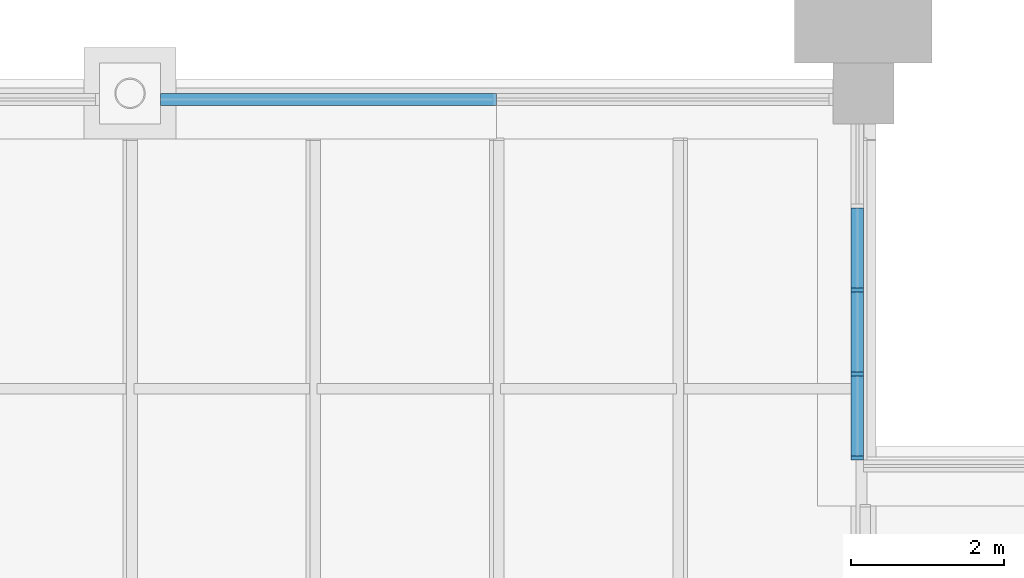
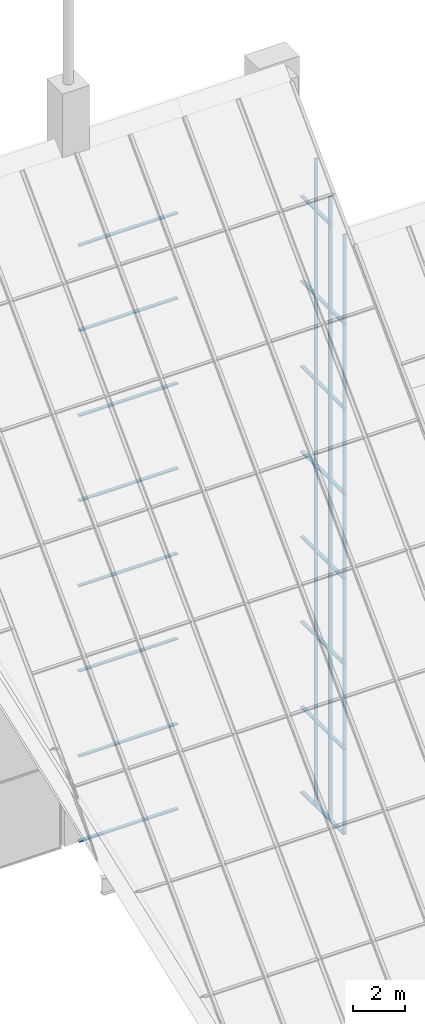
# One storey, part 14 of 25: 54 members, 31 elements without a shape of their own.
"""IFC4 building model written with IfcOpenShell, lengths in metres."""

from ifc_helpers import new_model, si_unit, direction, frame, origin, origin_2d, place, context, subcontext, project, spatial, rectangle, extrude, material, material_profile, profile_set, type_object, element, aggregate, save


model = new_model("IFC4")

# Units and contexts
model_context = context("Model", 3, precision=1e-05, world=origin(), true_north=direction((0.0, 1.0)))
body_context = subcontext(model_context, "Body", "Model", "MODEL_VIEW")
ifc_project = project(units=[si_unit("LENGTHUNIT", "METRE"), si_unit("AREAUNIT", "SQUARE_METRE"), si_unit("VOLUMEUNIT", "CUBIC_METRE"), si_unit("PLANEANGLEUNIT", "RADIAN"), si_unit("MASSUNIT", "GRAM", prefix="KILO")], contexts=[model_context])

# Site, building, storey
site_placement = place(None, origin())
site = spatial("IfcSite", under=ifc_project, at=site_placement, CompositionType="ELEMENT")
building_placement = place(site_placement, origin())
building = spatial("IfcBuilding", under=site, at=building_placement, Name="Baori Bourse Tower", CompositionType="ELEMENT")
storey_placement = place(building_placement, frame((0.0, 0.0, 378.300048828125)))
storey = spatial("IfcBuildingStorey", under=building, at=storey_placement, Name="Roof", CompositionType="ELEMENT", Elevation=378.300048828125)

# Curtain wall, member
ifc_material_1 = material(Name="Pale anodised aluminium", Category="aluminium")
curtain_wall_type = type_object("IfcCurtainWallType", Name="CW3 Curtain wall", PredefinedType="NOTDEFINED", material=ifc_material_1)
curtain_wall_1_placement = place(storey_placement, origin())
curtain_wall_1 = element("IfcCurtainWall", 1, at=curtain_wall_1_placement, inside=storey, type_object=curtain_wall_type, Name="Curtain wall CW3 Roof 34", PredefinedType="NOTDEFINED")
ifc_material_2 = material(Name="Pale anodised aluminium", Category="aluminium")
ifc_material_profile_1 = material_profile(ifc_material_2, rectangle(XDim=0.159912109375, YDim=0.050048828125, at=origin_2d()), Name="Mullion 50x160")
ifc_profile_set_1 = profile_set([ifc_material_profile_1], Name="Pale anodised aluminium")
member_type_1 = type_object("IfcMemberType", Name="CW3 Curtain wall mullion", PredefinedType="MULLION", material=ifc_profile_set_1)
member_1_placement = place(storey_placement, frame((38.320068359375, 43.22509765625, -0.18994140625), z_axis=(0.0, 0.0, 1.0), x_axis=(-1.0, 0.0, 0.0)))
member_1 = element("IfcMember", 2, at=member_1_placement, type_object=member_type_1, Name="Curtain wall CW3 mullion", PredefinedType="MULLION", context=body_context, shape_type="SweptSolid", body=[
    extrude(rectangle(XDim=0.159912109375, YDim=0.050048828125, at=origin_2d()), origin(), (0.0, 0.0, 1.0), 3.93994140625),
])

curtain_wall_2_placement = place(storey_placement, origin())
curtain_wall_2 = element("IfcCurtainWall", 3, at=curtain_wall_2_placement, inside=storey, type_object=curtain_wall_type, Name="Curtain wall CW3 Roof 35", PredefinedType="NOTDEFINED")
member_2_placement = place(storey_placement, frame((38.320068359375, 43.22509765625, 3.81005859375), z_axis=(0.0, 0.0, 1.0), x_axis=(-1.0, 0.0, 0.0)))
member_2 = element("IfcMember", 4, at=member_2_placement, type_object=member_type_1, Name="Curtain wall CW3 mullion", PredefinedType="MULLION", context=body_context, shape_type="SweptSolid", body=[
    extrude(rectangle(XDim=0.159912109375, YDim=0.050048828125, at=origin_2d()), origin(), (0.0, 0.0, 1.0), 3.93994140625),
])

curtain_wall_3_placement = place(storey_placement, origin())
curtain_wall_3 = element("IfcCurtainWall", 5, at=curtain_wall_3_placement, inside=storey, type_object=curtain_wall_type, Name="Curtain wall CW3 Roof 36", PredefinedType="NOTDEFINED")
member_3_placement = place(storey_placement, frame((38.320068359375, 43.22509765625, 7.81005859375), z_axis=(0.0, 0.0, 1.0), x_axis=(-1.0, 0.0, 0.0)))
member_3 = element("IfcMember", 6, at=member_3_placement, type_object=member_type_1, Name="Curtain wall CW3 mullion", PredefinedType="MULLION", context=body_context, shape_type="SweptSolid", body=[
    extrude(rectangle(XDim=0.159912109375, YDim=0.050048828125, at=origin_2d()), origin(), (0.0, 0.0, 1.0), 3.93994140625),
])

curtain_wall_4_placement = place(storey_placement, origin())
curtain_wall_4 = element("IfcCurtainWall", 7, at=curtain_wall_4_placement, inside=storey, type_object=curtain_wall_type, Name="Curtain wall CW3 Roof 37", PredefinedType="NOTDEFINED")
member_4_placement = place(storey_placement, frame((38.320068359375, 43.22509765625, 11.81005859375), z_axis=(0.0, 0.0, 1.0), x_axis=(-1.0, 0.0, 0.0)))
member_4 = element("IfcMember", 8, at=member_4_placement, type_object=member_type_1, Name="Curtain wall CW3 mullion", PredefinedType="MULLION", context=body_context, shape_type="SweptSolid", body=[
    extrude(rectangle(XDim=0.159912109375, YDim=0.050048828125, at=origin_2d()), origin(), (0.0, 0.0, 1.0), 3.93994140625),
])

curtain_wall_5_placement = place(storey_placement, origin())
curtain_wall_5 = element("IfcCurtainWall", 9, at=curtain_wall_5_placement, inside=storey, type_object=curtain_wall_type, Name="Curtain wall CW3 Roof 38", PredefinedType="NOTDEFINED")
member_5_placement = place(storey_placement, frame((38.320068359375, 43.22509765625, 15.81005859375), z_axis=(0.0, 0.0, 1.0), x_axis=(-1.0, 0.0, 0.0)))
member_5 = element("IfcMember", 10, at=member_5_placement, type_object=member_type_1, Name="Curtain wall CW3 mullion", PredefinedType="MULLION", context=body_context, shape_type="SweptSolid", body=[
    extrude(rectangle(XDim=0.159912109375, YDim=0.050048828125, at=origin_2d()), origin(), (0.0, 0.0, 1.0), 3.93994140625),
])

curtain_wall_6_placement = place(storey_placement, origin())
curtain_wall_6 = element("IfcCurtainWall", 11, at=curtain_wall_6_placement, inside=storey, type_object=curtain_wall_type, Name="Curtain wall CW3 Roof 39", PredefinedType="NOTDEFINED")
member_6_placement = place(storey_placement, frame((38.320068359375, 43.22509765625, 19.81005859375), z_axis=(0.0, 0.0, 1.0), x_axis=(-1.0, 0.0, 0.0)))
member_6 = element("IfcMember", 12, at=member_6_placement, type_object=member_type_1, Name="Curtain wall CW3 mullion", PredefinedType="MULLION", context=body_context, shape_type="SweptSolid", body=[
    extrude(rectangle(XDim=0.159912109375, YDim=0.050048828125, at=origin_2d()), origin(), (0.0, 0.0, 1.0), 3.93994140625),
])

curtain_wall_7_placement = place(storey_placement, origin())
curtain_wall_7 = element("IfcCurtainWall", 13, at=curtain_wall_7_placement, inside=storey, type_object=curtain_wall_type, Name="Curtain wall CW3 Roof 40", PredefinedType="NOTDEFINED")
member_7_placement = place(storey_placement, frame((38.320068359375, 43.22509765625, 23.81005859375), z_axis=(0.0, 0.0, 1.0), x_axis=(-1.0, 0.0, 0.0)))
member_7 = element("IfcMember", 14, at=member_7_placement, type_object=member_type_1, Name="Curtain wall CW3 mullion", PredefinedType="MULLION", context=body_context, shape_type="SweptSolid", body=[
    extrude(rectangle(XDim=0.159912109375, YDim=0.050048828125, at=origin_2d()), origin(), (0.0, 0.0, 1.0), 4.159912109375),
])

curtain_wall_8_placement = place(storey_placement, origin())
curtain_wall_8 = element("IfcCurtainWall", 15, at=curtain_wall_8_placement, inside=storey, type_object=curtain_wall_type, Name="Curtain wall CW3 Roof 41", PredefinedType="NOTDEFINED")
member_8_placement = place(storey_placement, frame((38.320068359375, 44.324951171875, -0.18994140625), z_axis=(0.0, 0.0, 1.0), x_axis=(-1.0, 0.0, 0.0)))
member_8 = element("IfcMember", 16, at=member_8_placement, type_object=member_type_1, Name="Curtain wall CW3 mullion", PredefinedType="MULLION", context=body_context, shape_type="SweptSolid", body=[
    extrude(rectangle(XDim=0.159912109375, YDim=0.050048828125, at=origin_2d()), origin(), (0.0, 0.0, 1.0), 3.93994140625),
])

curtain_wall_9_placement = place(storey_placement, origin())
curtain_wall_9 = element("IfcCurtainWall", 17, at=curtain_wall_9_placement, inside=storey, type_object=curtain_wall_type, Name="Curtain wall CW3 Roof 42", PredefinedType="NOTDEFINED")
member_9_placement = place(storey_placement, frame((38.320068359375, 44.324951171875, 3.81005859375), z_axis=(0.0, 0.0, 1.0), x_axis=(-1.0, 0.0, 0.0)))
member_9 = element("IfcMember", 18, at=member_9_placement, type_object=member_type_1, Name="Curtain wall CW3 mullion", PredefinedType="MULLION", context=body_context, shape_type="SweptSolid", body=[
    extrude(rectangle(XDim=0.159912109375, YDim=0.050048828125, at=origin_2d()), origin(), (0.0, 0.0, 1.0), 3.93994140625),
])

curtain_wall_10_placement = place(storey_placement, origin())
curtain_wall_10 = element("IfcCurtainWall", 19, at=curtain_wall_10_placement, inside=storey, type_object=curtain_wall_type, Name="Curtain wall CW3 Roof 43", PredefinedType="NOTDEFINED")
member_10_placement = place(storey_placement, frame((38.320068359375, 44.324951171875, 7.81005859375), z_axis=(0.0, 0.0, 1.0), x_axis=(-1.0, 0.0, 0.0)))
member_10 = element("IfcMember", 20, at=member_10_placement, type_object=member_type_1, Name="Curtain wall CW3 mullion", PredefinedType="MULLION", context=body_context, shape_type="SweptSolid", body=[
    extrude(rectangle(XDim=0.159912109375, YDim=0.050048828125, at=origin_2d()), origin(), (0.0, 0.0, 1.0), 3.93994140625),
])

curtain_wall_11_placement = place(storey_placement, origin())
curtain_wall_11 = element("IfcCurtainWall", 21, at=curtain_wall_11_placement, inside=storey, type_object=curtain_wall_type, Name="Curtain wall CW3 Roof 44", PredefinedType="NOTDEFINED")
member_11_placement = place(storey_placement, frame((38.320068359375, 44.324951171875, 11.81005859375), z_axis=(0.0, 0.0, 1.0), x_axis=(-1.0, 0.0, 0.0)))
member_11 = element("IfcMember", 22, at=member_11_placement, type_object=member_type_1, Name="Curtain wall CW3 mullion", PredefinedType="MULLION", context=body_context, shape_type="SweptSolid", body=[
    extrude(rectangle(XDim=0.159912109375, YDim=0.050048828125, at=origin_2d()), origin(), (0.0, 0.0, 1.0), 3.93994140625),
])

curtain_wall_12_placement = place(storey_placement, origin())
curtain_wall_12 = element("IfcCurtainWall", 23, at=curtain_wall_12_placement, inside=storey, type_object=curtain_wall_type, Name="Curtain wall CW3 Roof 45", PredefinedType="NOTDEFINED")
member_12_placement = place(storey_placement, frame((38.320068359375, 44.324951171875, 15.81005859375), z_axis=(0.0, 0.0, 1.0), x_axis=(-1.0, 0.0, 0.0)))
member_12 = element("IfcMember", 24, at=member_12_placement, type_object=member_type_1, Name="Curtain wall CW3 mullion", PredefinedType="MULLION", context=body_context, shape_type="SweptSolid", body=[
    extrude(rectangle(XDim=0.159912109375, YDim=0.050048828125, at=origin_2d()), origin(), (0.0, 0.0, 1.0), 3.93994140625),
])

curtain_wall_13_placement = place(storey_placement, origin())
curtain_wall_13 = element("IfcCurtainWall", 25, at=curtain_wall_13_placement, inside=storey, type_object=curtain_wall_type, Name="Curtain wall CW3 Roof 46", PredefinedType="NOTDEFINED")
member_13_placement = place(storey_placement, frame((38.320068359375, 44.324951171875, 19.81005859375), z_axis=(0.0, 0.0, 1.0), x_axis=(-1.0, 0.0, 0.0)))
member_13 = element("IfcMember", 26, at=member_13_placement, type_object=member_type_1, Name="Curtain wall CW3 mullion", PredefinedType="MULLION", context=body_context, shape_type="SweptSolid", body=[
    extrude(rectangle(XDim=0.159912109375, YDim=0.050048828125, at=origin_2d()), origin(), (0.0, 0.0, 1.0), 3.93994140625),
])

curtain_wall_14_placement = place(storey_placement, origin())
curtain_wall_14 = element("IfcCurtainWall", 27, at=curtain_wall_14_placement, inside=storey, type_object=curtain_wall_type, Name="Curtain wall CW3 Roof 47", PredefinedType="NOTDEFINED")
member_14_placement = place(storey_placement, frame((38.320068359375, 44.324951171875, 23.81005859375), z_axis=(0.0, 0.0, 1.0), x_axis=(-1.0, 0.0, 0.0)))
member_14 = element("IfcMember", 28, at=member_14_placement, type_object=member_type_1, Name="Curtain wall CW3 mullion", PredefinedType="MULLION", context=body_context, shape_type="SweptSolid", body=[
    extrude(rectangle(XDim=0.159912109375, YDim=0.050048828125, at=origin_2d()), origin(), (0.0, 0.0, 1.0), 3.93994140625),
])

curtain_wall_15_placement = place(storey_placement, origin())
curtain_wall_15 = element("IfcCurtainWall", 29, at=curtain_wall_15_placement, inside=storey, type_object=curtain_wall_type, Name="Curtain wall CW3 Roof 48", PredefinedType="NOTDEFINED")
member_15_placement = place(storey_placement, frame((38.320068359375, 44.324951171875, 27.81005859375), z_axis=(0.0, 0.0, 1.0), x_axis=(-1.0, 0.0, 0.0)))
member_15 = element("IfcMember", 30, at=member_15_placement, type_object=member_type_1, Name="Curtain wall CW3 mullion", PredefinedType="MULLION", context=body_context, shape_type="SweptSolid", body=[
    extrude(rectangle(XDim=0.159912109375, YDim=0.050048828125, at=origin_2d()), origin(), (0.0, 0.0, 1.0), 1.273681640625),
])

curtain_wall_16_placement = place(storey_placement, origin())
curtain_wall_16 = element("IfcCurtainWall", 31, at=curtain_wall_16_placement, inside=storey, type_object=curtain_wall_type, Name="Curtain wall CW3 Roof 49", PredefinedType="NOTDEFINED")
member_16_placement = place(storey_placement, frame((38.320068359375, 45.425048828125, -0.18994140625), z_axis=(0.0, 0.0, 1.0), x_axis=(-1.0, 0.0, 0.0)))
member_16 = element("IfcMember", 32, at=member_16_placement, type_object=member_type_1, Name="Curtain wall CW3 mullion", PredefinedType="MULLION", context=body_context, shape_type="SweptSolid", body=[
    extrude(rectangle(XDim=0.159912109375, YDim=0.050048828125, at=origin_2d()), origin(), (0.0, 0.0, 1.0), 3.93994140625),
])

curtain_wall_17_placement = place(storey_placement, origin())
curtain_wall_17 = element("IfcCurtainWall", 33, at=curtain_wall_17_placement, inside=storey, type_object=curtain_wall_type, Name="Curtain wall CW3 Roof 50", PredefinedType="NOTDEFINED")
member_17_placement = place(storey_placement, frame((38.320068359375, 45.425048828125, 3.81005859375), z_axis=(0.0, 0.0, 1.0), x_axis=(-1.0, 0.0, 0.0)))
member_17 = element("IfcMember", 34, at=member_17_placement, type_object=member_type_1, Name="Curtain wall CW3 mullion", PredefinedType="MULLION", context=body_context, shape_type="SweptSolid", body=[
    extrude(rectangle(XDim=0.159912109375, YDim=0.050048828125, at=origin_2d()), origin(), (0.0, 0.0, 1.0), 3.93994140625),
])

curtain_wall_18_placement = place(storey_placement, origin())
curtain_wall_18 = element("IfcCurtainWall", 35, at=curtain_wall_18_placement, inside=storey, type_object=curtain_wall_type, Name="Curtain wall CW3 Roof 51", PredefinedType="NOTDEFINED")
member_18_placement = place(storey_placement, frame((38.320068359375, 45.425048828125, 7.81005859375), z_axis=(0.0, 0.0, 1.0), x_axis=(-1.0, 0.0, 0.0)))
member_18 = element("IfcMember", 36, at=member_18_placement, type_object=member_type_1, Name="Curtain wall CW3 mullion", PredefinedType="MULLION", context=body_context, shape_type="SweptSolid", body=[
    extrude(rectangle(XDim=0.159912109375, YDim=0.050048828125, at=origin_2d()), origin(), (0.0, 0.0, 1.0), 3.93994140625),
])

curtain_wall_19_placement = place(storey_placement, origin())
curtain_wall_19 = element("IfcCurtainWall", 37, at=curtain_wall_19_placement, inside=storey, type_object=curtain_wall_type, Name="Curtain wall CW3 Roof 52", PredefinedType="NOTDEFINED")
member_19_placement = place(storey_placement, frame((38.320068359375, 45.425048828125, 11.81005859375), z_axis=(0.0, 0.0, 1.0), x_axis=(-1.0, 0.0, 0.0)))
member_19 = element("IfcMember", 38, at=member_19_placement, type_object=member_type_1, Name="Curtain wall CW3 mullion", PredefinedType="MULLION", context=body_context, shape_type="SweptSolid", body=[
    extrude(rectangle(XDim=0.159912109375, YDim=0.050048828125, at=origin_2d()), origin(), (0.0, 0.0, 1.0), 3.93994140625),
])

curtain_wall_20_placement = place(storey_placement, origin())
curtain_wall_20 = element("IfcCurtainWall", 39, at=curtain_wall_20_placement, inside=storey, type_object=curtain_wall_type, Name="Curtain wall CW3 Roof 53", PredefinedType="NOTDEFINED")
member_20_placement = place(storey_placement, frame((38.320068359375, 45.425048828125, 15.81005859375), z_axis=(0.0, 0.0, 1.0), x_axis=(-1.0, 0.0, 0.0)))
member_20 = element("IfcMember", 40, at=member_20_placement, type_object=member_type_1, Name="Curtain wall CW3 mullion", PredefinedType="MULLION", context=body_context, shape_type="SweptSolid", body=[
    extrude(rectangle(XDim=0.159912109375, YDim=0.050048828125, at=origin_2d()), origin(), (0.0, 0.0, 1.0), 3.93994140625),
])

curtain_wall_21_placement = place(storey_placement, origin())
curtain_wall_21 = element("IfcCurtainWall", 41, at=curtain_wall_21_placement, inside=storey, type_object=curtain_wall_type, Name="Curtain wall CW3 Roof 54", PredefinedType="NOTDEFINED")
member_21_placement = place(storey_placement, frame((38.320068359375, 45.425048828125, 19.81005859375), z_axis=(0.0, 0.0, 1.0), x_axis=(-1.0, 0.0, 0.0)))
member_21 = element("IfcMember", 42, at=member_21_placement, type_object=member_type_1, Name="Curtain wall CW3 mullion", PredefinedType="MULLION", context=body_context, shape_type="SweptSolid", body=[
    extrude(rectangle(XDim=0.159912109375, YDim=0.050048828125, at=origin_2d()), origin(), (0.0, 0.0, 1.0), 3.93994140625),
])

curtain_wall_22_placement = place(storey_placement, origin())
curtain_wall_22 = element("IfcCurtainWall", 43, at=curtain_wall_22_placement, inside=storey, type_object=curtain_wall_type, Name="Curtain wall CW3 Roof 55", PredefinedType="NOTDEFINED")
member_22_placement = place(storey_placement, frame((38.320068359375, 45.425048828125, 23.81005859375), z_axis=(0.0, 0.0, 1.0), x_axis=(-1.0, 0.0, 0.0)))
member_22 = element("IfcMember", 44, at=member_22_placement, type_object=member_type_1, Name="Curtain wall CW3 mullion", PredefinedType="MULLION", context=body_context, shape_type="SweptSolid", body=[
    extrude(rectangle(XDim=0.159912109375, YDim=0.050048828125, at=origin_2d()), origin(), (0.0, 0.0, 1.0), 3.93994140625),
])

curtain_wall_23_placement = place(storey_placement, origin())
curtain_wall_23 = element("IfcCurtainWall", 45, at=curtain_wall_23_placement, inside=storey, type_object=curtain_wall_type, Name="Curtain wall CW3 Roof 56", PredefinedType="NOTDEFINED")
member_23_placement = place(storey_placement, frame((38.320068359375, 45.425048828125, 27.81005859375), z_axis=(0.0, 0.0, 1.0), x_axis=(-1.0, 0.0, 0.0)))
member_23 = element("IfcMember", 46, at=member_23_placement, type_object=member_type_1, Name="Curtain wall CW3 mullion", PredefinedType="MULLION", context=body_context, shape_type="SweptSolid", body=[
    extrude(rectangle(XDim=0.159912109375, YDim=0.050048828125, at=origin_2d()), origin(), (0.0, 0.0, 1.0), 2.387451171875),
])

# Member
ifc_material_3 = material(Name="Pale anodised aluminium", Category="aluminium")
ifc_material_profile_2 = material_profile(ifc_material_3, rectangle(XDim=0.159912109375, YDim=0.06005859375, at=origin_2d()), Name="Transom 60x160")
ifc_profile_set_2 = profile_set([ifc_material_profile_2], Name="Pale anodised aluminium")
member_type_2 = type_object("IfcMemberType", Name="CW3 Curtain wall transom", PredefinedType="USERDEFINED", material=ifc_profile_set_2)
member_24_placement = place(storey_placement, frame((38.320068359375, 43.199951171875, -0.219970703125), z_axis=(0.0, 1.0, 0.0), x_axis=(-1.0, 0.0, 0.0)))
member_24 = element("IfcMember", 47, at=member_24_placement, type_object=member_type_2, Name="Curtain wall CW3 sill rail", ObjectType="TRANSOM", PredefinedType="USERDEFINED", context=body_context, shape_type="SweptSolid", body=[
    extrude(rectangle(XDim=0.159912109375, YDim=0.06005859375, at=origin_2d()), origin(), (0.0, 0.0, 1.0), 1.10009765625),
])

aggregate(curtain_wall_1, [member_24, member_1])

member_25_placement = place(storey_placement, frame((38.320068359375, 43.199951171875, 3.780029296875), z_axis=(0.0, 1.0, 0.0), x_axis=(-1.0, 0.0, 0.0)))
member_25 = element("IfcMember", 48, at=member_25_placement, type_object=member_type_2, Name="Curtain wall CW3 sill rail", ObjectType="TRANSOM", PredefinedType="USERDEFINED", context=body_context, shape_type="SweptSolid", body=[
    extrude(rectangle(XDim=0.159912109375, YDim=0.06005859375, at=origin_2d()), origin(), (0.0, 0.0, 1.0), 1.10009765625),
])

aggregate(curtain_wall_2, [member_25, member_2])

member_26_placement = place(storey_placement, frame((38.320068359375, 43.199951171875, 7.780029296875), z_axis=(0.0, 1.0, 0.0), x_axis=(-1.0, 0.0, 0.0)))
member_26 = element("IfcMember", 49, at=member_26_placement, type_object=member_type_2, Name="Curtain wall CW3 sill rail", ObjectType="TRANSOM", PredefinedType="USERDEFINED", context=body_context, shape_type="SweptSolid", body=[
    extrude(rectangle(XDim=0.159912109375, YDim=0.06005859375, at=origin_2d()), origin(), (0.0, 0.0, 1.0), 1.10009765625),
])

aggregate(curtain_wall_3, [member_26, member_3])

member_27_placement = place(storey_placement, frame((38.320068359375, 43.199951171875, 11.780029296875), z_axis=(0.0, 1.0, 0.0), x_axis=(-1.0, 0.0, 0.0)))
member_27 = element("IfcMember", 50, at=member_27_placement, type_object=member_type_2, Name="Curtain wall CW3 sill rail", ObjectType="TRANSOM", PredefinedType="USERDEFINED", context=body_context, shape_type="SweptSolid", body=[
    extrude(rectangle(XDim=0.159912109375, YDim=0.06005859375, at=origin_2d()), origin(), (0.0, 0.0, 1.0), 1.10009765625),
])

aggregate(curtain_wall_4, [member_27, member_4])

member_28_placement = place(storey_placement, frame((38.320068359375, 43.199951171875, 15.780029296875), z_axis=(0.0, 1.0, 0.0), x_axis=(-1.0, 0.0, 0.0)))
member_28 = element("IfcMember", 51, at=member_28_placement, type_object=member_type_2, Name="Curtain wall CW3 sill rail", ObjectType="TRANSOM", PredefinedType="USERDEFINED", context=body_context, shape_type="SweptSolid", body=[
    extrude(rectangle(XDim=0.159912109375, YDim=0.06005859375, at=origin_2d()), origin(), (0.0, 0.0, 1.0), 1.10009765625),
])

aggregate(curtain_wall_5, [member_28, member_5])

member_29_placement = place(storey_placement, frame((38.320068359375, 43.199951171875, 19.780029296875), z_axis=(0.0, 1.0, 0.0), x_axis=(-1.0, 0.0, 0.0)))
member_29 = element("IfcMember", 52, at=member_29_placement, type_object=member_type_2, Name="Curtain wall CW3 sill rail", ObjectType="TRANSOM", PredefinedType="USERDEFINED", context=body_context, shape_type="SweptSolid", body=[
    extrude(rectangle(XDim=0.159912109375, YDim=0.06005859375, at=origin_2d()), origin(), (0.0, 0.0, 1.0), 1.10009765625),
])

aggregate(curtain_wall_6, [member_29, member_6])

member_30_placement = place(storey_placement, frame((38.320068359375, 43.199951171875, 23.780029296875), z_axis=(0.0, 1.0, 0.0), x_axis=(-1.0, 0.0, 0.0)))
member_30 = element("IfcMember", 53, at=member_30_placement, type_object=member_type_2, Name="Curtain wall CW3 sill rail", ObjectType="TRANSOM", PredefinedType="USERDEFINED", context=body_context, shape_type="SweptSolid", body=[
    extrude(rectangle(XDim=0.159912109375, YDim=0.06005859375, at=origin_2d()), origin(), (0.0, 0.0, 1.0), 1.10009765625),
])

aggregate(curtain_wall_7, [member_30, member_7])

member_31_placement = place(storey_placement, frame((38.320068359375, 44.300048828125, -0.219970703125), z_axis=(0.0, 1.0, 0.0), x_axis=(-1.0, 0.0, 0.0)))
member_31 = element("IfcMember", 54, at=member_31_placement, type_object=member_type_2, Name="Curtain wall CW3 sill rail", ObjectType="TRANSOM", PredefinedType="USERDEFINED", context=body_context, shape_type="SweptSolid", body=[
    extrude(rectangle(XDim=0.159912109375, YDim=0.06005859375, at=origin_2d()), origin(), (0.0, 0.0, 1.0), 1.099853515625),
])

aggregate(curtain_wall_8, [member_31, member_8])

member_32_placement = place(storey_placement, frame((38.320068359375, 44.300048828125, 3.780029296875), z_axis=(0.0, 1.0, 0.0), x_axis=(-1.0, 0.0, 0.0)))
member_32 = element("IfcMember", 55, at=member_32_placement, type_object=member_type_2, Name="Curtain wall CW3 sill rail", ObjectType="TRANSOM", PredefinedType="USERDEFINED", context=body_context, shape_type="SweptSolid", body=[
    extrude(rectangle(XDim=0.159912109375, YDim=0.06005859375, at=origin_2d()), origin(), (0.0, 0.0, 1.0), 1.099853515625),
])

aggregate(curtain_wall_9, [member_32, member_9])

member_33_placement = place(storey_placement, frame((38.320068359375, 44.300048828125, 7.780029296875), z_axis=(0.0, 1.0, 0.0), x_axis=(-1.0, 0.0, 0.0)))
member_33 = element("IfcMember", 56, at=member_33_placement, type_object=member_type_2, Name="Curtain wall CW3 sill rail", ObjectType="TRANSOM", PredefinedType="USERDEFINED", context=body_context, shape_type="SweptSolid", body=[
    extrude(rectangle(XDim=0.159912109375, YDim=0.06005859375, at=origin_2d()), origin(), (0.0, 0.0, 1.0), 1.099853515625),
])

aggregate(curtain_wall_10, [member_33, member_10])

member_34_placement = place(storey_placement, frame((38.320068359375, 44.300048828125, 11.780029296875), z_axis=(0.0, 1.0, 0.0), x_axis=(-1.0, 0.0, 0.0)))
member_34 = element("IfcMember", 57, at=member_34_placement, type_object=member_type_2, Name="Curtain wall CW3 sill rail", ObjectType="TRANSOM", PredefinedType="USERDEFINED", context=body_context, shape_type="SweptSolid", body=[
    extrude(rectangle(XDim=0.159912109375, YDim=0.06005859375, at=origin_2d()), origin(), (0.0, 0.0, 1.0), 1.099853515625),
])

aggregate(curtain_wall_11, [member_34, member_11])

member_35_placement = place(storey_placement, frame((38.320068359375, 44.300048828125, 15.780029296875), z_axis=(0.0, 1.0, 0.0), x_axis=(-1.0, 0.0, 0.0)))
member_35 = element("IfcMember", 58, at=member_35_placement, type_object=member_type_2, Name="Curtain wall CW3 sill rail", ObjectType="TRANSOM", PredefinedType="USERDEFINED", context=body_context, shape_type="SweptSolid", body=[
    extrude(rectangle(XDim=0.159912109375, YDim=0.06005859375, at=origin_2d()), origin(), (0.0, 0.0, 1.0), 1.099853515625),
])

aggregate(curtain_wall_12, [member_35, member_12])

member_36_placement = place(storey_placement, frame((38.320068359375, 44.300048828125, 19.780029296875), z_axis=(0.0, 1.0, 0.0), x_axis=(-1.0, 0.0, 0.0)))
member_36 = element("IfcMember", 59, at=member_36_placement, type_object=member_type_2, Name="Curtain wall CW3 sill rail", ObjectType="TRANSOM", PredefinedType="USERDEFINED", context=body_context, shape_type="SweptSolid", body=[
    extrude(rectangle(XDim=0.159912109375, YDim=0.06005859375, at=origin_2d()), origin(), (0.0, 0.0, 1.0), 1.099853515625),
])

aggregate(curtain_wall_13, [member_36, member_13])

member_37_placement = place(storey_placement, frame((38.320068359375, 44.300048828125, 23.780029296875), z_axis=(0.0, 1.0, 0.0), x_axis=(-1.0, 0.0, 0.0)))
member_37 = element("IfcMember", 60, at=member_37_placement, type_object=member_type_2, Name="Curtain wall CW3 sill rail", ObjectType="TRANSOM", PredefinedType="USERDEFINED", context=body_context, shape_type="SweptSolid", body=[
    extrude(rectangle(XDim=0.159912109375, YDim=0.06005859375, at=origin_2d()), origin(), (0.0, 0.0, 1.0), 1.099853515625),
])

aggregate(curtain_wall_14, [member_37, member_14])

member_38_placement = place(storey_placement, frame((38.320068359375, 44.300048828125, 27.780029296875), z_axis=(0.0, 1.0, 0.0), x_axis=(-1.0, 0.0, 0.0)))
member_38 = element("IfcMember", 61, at=member_38_placement, type_object=member_type_2, Name="Curtain wall CW3 sill rail", ObjectType="TRANSOM", PredefinedType="USERDEFINED", context=body_context, shape_type="SweptSolid", body=[
    extrude(rectangle(XDim=0.159912109375, YDim=0.06005859375, at=origin_2d()), origin(), (0.0, 0.0, 1.0), 1.099853515625),
])

aggregate(curtain_wall_15, [member_38, member_15])

member_39_placement = place(storey_placement, frame((38.320068359375, 45.39990234375, -0.219970703125), z_axis=(0.0, 1.0, 0.0), x_axis=(-1.0, 0.0, 0.0)))
member_39 = element("IfcMember", 62, at=member_39_placement, type_object=member_type_2, Name="Curtain wall CW3 sill rail", ObjectType="TRANSOM", PredefinedType="USERDEFINED", context=body_context, shape_type="SweptSolid", body=[
    extrude(rectangle(XDim=0.159912109375, YDim=0.06005859375, at=origin_2d()), origin(), (0.0, 0.0, 1.0), 1.10009765625),
])

aggregate(curtain_wall_16, [member_39, member_16])

member_40_placement = place(storey_placement, frame((38.320068359375, 45.39990234375, 3.780029296875), z_axis=(0.0, 1.0, 0.0), x_axis=(-1.0, 0.0, 0.0)))
member_40 = element("IfcMember", 63, at=member_40_placement, type_object=member_type_2, Name="Curtain wall CW3 sill rail", ObjectType="TRANSOM", PredefinedType="USERDEFINED", context=body_context, shape_type="SweptSolid", body=[
    extrude(rectangle(XDim=0.159912109375, YDim=0.06005859375, at=origin_2d()), origin(), (0.0, 0.0, 1.0), 1.10009765625),
])

aggregate(curtain_wall_17, [member_40, member_17])

member_41_placement = place(storey_placement, frame((38.320068359375, 45.39990234375, 7.780029296875), z_axis=(0.0, 1.0, 0.0), x_axis=(-1.0, 0.0, 0.0)))
member_41 = element("IfcMember", 64, at=member_41_placement, type_object=member_type_2, Name="Curtain wall CW3 sill rail", ObjectType="TRANSOM", PredefinedType="USERDEFINED", context=body_context, shape_type="SweptSolid", body=[
    extrude(rectangle(XDim=0.159912109375, YDim=0.06005859375, at=origin_2d()), origin(), (0.0, 0.0, 1.0), 1.10009765625),
])

aggregate(curtain_wall_18, [member_41, member_18])

member_42_placement = place(storey_placement, frame((38.320068359375, 45.39990234375, 11.780029296875), z_axis=(0.0, 1.0, 0.0), x_axis=(-1.0, 0.0, 0.0)))
member_42 = element("IfcMember", 65, at=member_42_placement, type_object=member_type_2, Name="Curtain wall CW3 sill rail", ObjectType="TRANSOM", PredefinedType="USERDEFINED", context=body_context, shape_type="SweptSolid", body=[
    extrude(rectangle(XDim=0.159912109375, YDim=0.06005859375, at=origin_2d()), origin(), (0.0, 0.0, 1.0), 1.10009765625),
])

aggregate(curtain_wall_19, [member_42, member_19])

member_43_placement = place(storey_placement, frame((38.320068359375, 45.39990234375, 15.780029296875), z_axis=(0.0, 1.0, 0.0), x_axis=(-1.0, 0.0, 0.0)))
member_43 = element("IfcMember", 66, at=member_43_placement, type_object=member_type_2, Name="Curtain wall CW3 sill rail", ObjectType="TRANSOM", PredefinedType="USERDEFINED", context=body_context, shape_type="SweptSolid", body=[
    extrude(rectangle(XDim=0.159912109375, YDim=0.06005859375, at=origin_2d()), origin(), (0.0, 0.0, 1.0), 1.10009765625),
])

aggregate(curtain_wall_20, [member_43, member_20])

member_44_placement = place(storey_placement, frame((38.320068359375, 45.39990234375, 19.780029296875), z_axis=(0.0, 1.0, 0.0), x_axis=(-1.0, 0.0, 0.0)))
member_44 = element("IfcMember", 67, at=member_44_placement, type_object=member_type_2, Name="Curtain wall CW3 sill rail", ObjectType="TRANSOM", PredefinedType="USERDEFINED", context=body_context, shape_type="SweptSolid", body=[
    extrude(rectangle(XDim=0.159912109375, YDim=0.06005859375, at=origin_2d()), origin(), (0.0, 0.0, 1.0), 1.10009765625),
])

aggregate(curtain_wall_21, [member_44, member_21])

member_45_placement = place(storey_placement, frame((38.320068359375, 45.39990234375, 23.780029296875), z_axis=(0.0, 1.0, 0.0), x_axis=(-1.0, 0.0, 0.0)))
member_45 = element("IfcMember", 68, at=member_45_placement, type_object=member_type_2, Name="Curtain wall CW3 sill rail", ObjectType="TRANSOM", PredefinedType="USERDEFINED", context=body_context, shape_type="SweptSolid", body=[
    extrude(rectangle(XDim=0.159912109375, YDim=0.06005859375, at=origin_2d()), origin(), (0.0, 0.0, 1.0), 1.10009765625),
])

aggregate(curtain_wall_22, [member_45, member_22])

member_46_placement = place(storey_placement, frame((38.320068359375, 45.39990234375, 27.780029296875), z_axis=(0.0, 1.0, 0.0), x_axis=(-1.0, 0.0, 0.0)))
member_46 = element("IfcMember", 69, at=member_46_placement, type_object=member_type_2, Name="Curtain wall CW3 sill rail", ObjectType="TRANSOM", PredefinedType="USERDEFINED", context=body_context, shape_type="SweptSolid", body=[
    extrude(rectangle(XDim=0.159912109375, YDim=0.06005859375, at=origin_2d()), origin(), (0.0, 0.0, 1.0), 1.10009765625),
])

aggregate(curtain_wall_23, [member_46, member_23])

# Curtain wall, member
curtain_wall_24_placement = place(storey_placement, origin())
curtain_wall_24 = element("IfcCurtainWall", 70, at=curtain_wall_24_placement, inside=storey, type_object=curtain_wall_type, Name="Curtain wall CW3 Roof 74", PredefinedType="NOTDEFINED")
member_47_placement = place(storey_placement, frame((33.60009765625, 47.919921875, -0.219970703125), z_axis=(-1.0, 0.0, 0.0), x_axis=(0.0, -1.0, 0.0)))
member_47 = element("IfcMember", 71, at=member_47_placement, type_object=member_type_2, Name="Curtain wall CW3 sill rail", ObjectType="TRANSOM", PredefinedType="USERDEFINED", context=body_context, shape_type="SweptSolid", body=[
    extrude(rectangle(XDim=0.159912109375, YDim=0.06005859375, at=origin_2d()), origin(), (0.0, 0.0, 1.0), 4.400146484375),
])
aggregate(curtain_wall_24, [member_47])

curtain_wall_25_placement = place(storey_placement, origin())
curtain_wall_25 = element("IfcCurtainWall", 72, at=curtain_wall_25_placement, inside=storey, type_object=curtain_wall_type, Name="Curtain wall CW3 Roof 75", PredefinedType="NOTDEFINED")
member_48_placement = place(storey_placement, frame((33.60009765625, 47.919921875, 3.780029296875), z_axis=(-1.0, 0.0, 0.0), x_axis=(0.0, -1.0, 0.0)))
member_48 = element("IfcMember", 73, at=member_48_placement, type_object=member_type_2, Name="Curtain wall CW3 sill rail", ObjectType="TRANSOM", PredefinedType="USERDEFINED", context=body_context, shape_type="SweptSolid", body=[
    extrude(rectangle(XDim=0.159912109375, YDim=0.06005859375, at=origin_2d()), origin(), (0.0, 0.0, 1.0), 4.400146484375),
])
aggregate(curtain_wall_25, [member_48])

curtain_wall_26_placement = place(storey_placement, origin())
curtain_wall_26 = element("IfcCurtainWall", 74, at=curtain_wall_26_placement, inside=storey, type_object=curtain_wall_type, Name="Curtain wall CW3 Roof 76", PredefinedType="NOTDEFINED")
member_49_placement = place(storey_placement, frame((33.60009765625, 47.919921875, 7.780029296875), z_axis=(-1.0, 0.0, 0.0), x_axis=(0.0, -1.0, 0.0)))
member_49 = element("IfcMember", 75, at=member_49_placement, type_object=member_type_2, Name="Curtain wall CW3 sill rail", ObjectType="TRANSOM", PredefinedType="USERDEFINED", context=body_context, shape_type="SweptSolid", body=[
    extrude(rectangle(XDim=0.159912109375, YDim=0.06005859375, at=origin_2d()), origin(), (0.0, 0.0, 1.0), 4.400146484375),
])
aggregate(curtain_wall_26, [member_49])

curtain_wall_27_placement = place(storey_placement, origin())
curtain_wall_27 = element("IfcCurtainWall", 76, at=curtain_wall_27_placement, inside=storey, type_object=curtain_wall_type, Name="Curtain wall CW3 Roof 77", PredefinedType="NOTDEFINED")
member_50_placement = place(storey_placement, frame((33.60009765625, 47.919921875, 11.780029296875), z_axis=(-1.0, 0.0, 0.0), x_axis=(0.0, -1.0, 0.0)))
member_50 = element("IfcMember", 77, at=member_50_placement, type_object=member_type_2, Name="Curtain wall CW3 sill rail", ObjectType="TRANSOM", PredefinedType="USERDEFINED", context=body_context, shape_type="SweptSolid", body=[
    extrude(rectangle(XDim=0.159912109375, YDim=0.06005859375, at=origin_2d()), origin(), (0.0, 0.0, 1.0), 4.400146484375),
])
aggregate(curtain_wall_27, [member_50])

curtain_wall_28_placement = place(storey_placement, origin())
curtain_wall_28 = element("IfcCurtainWall", 78, at=curtain_wall_28_placement, inside=storey, type_object=curtain_wall_type, Name="Curtain wall CW3 Roof 78", PredefinedType="NOTDEFINED")
member_51_placement = place(storey_placement, frame((33.60009765625, 47.919921875, 15.780029296875), z_axis=(-1.0, 0.0, 0.0), x_axis=(0.0, -1.0, 0.0)))
member_51 = element("IfcMember", 79, at=member_51_placement, type_object=member_type_2, Name="Curtain wall CW3 sill rail", ObjectType="TRANSOM", PredefinedType="USERDEFINED", context=body_context, shape_type="SweptSolid", body=[
    extrude(rectangle(XDim=0.159912109375, YDim=0.06005859375, at=origin_2d()), origin(), (0.0, 0.0, 1.0), 4.400146484375),
])
aggregate(curtain_wall_28, [member_51])

curtain_wall_29_placement = place(storey_placement, origin())
curtain_wall_29 = element("IfcCurtainWall", 80, at=curtain_wall_29_placement, inside=storey, type_object=curtain_wall_type, Name="Curtain wall CW3 Roof 79", PredefinedType="NOTDEFINED")
member_52_placement = place(storey_placement, frame((33.60009765625, 47.919921875, 19.780029296875), z_axis=(-1.0, 0.0, 0.0), x_axis=(0.0, -1.0, 0.0)))
member_52 = element("IfcMember", 81, at=member_52_placement, type_object=member_type_2, Name="Curtain wall CW3 sill rail", ObjectType="TRANSOM", PredefinedType="USERDEFINED", context=body_context, shape_type="SweptSolid", body=[
    extrude(rectangle(XDim=0.159912109375, YDim=0.06005859375, at=origin_2d()), origin(), (0.0, 0.0, 1.0), 4.400146484375),
])
aggregate(curtain_wall_29, [member_52])

curtain_wall_30_placement = place(storey_placement, origin())
curtain_wall_30 = element("IfcCurtainWall", 82, at=curtain_wall_30_placement, inside=storey, type_object=curtain_wall_type, Name="Curtain wall CW3 Roof 80", PredefinedType="NOTDEFINED")
member_53_placement = place(storey_placement, frame((33.60009765625, 47.919921875, 23.780029296875), z_axis=(-1.0, 0.0, 0.0), x_axis=(0.0, -1.0, 0.0)))
member_53 = element("IfcMember", 83, at=member_53_placement, type_object=member_type_2, Name="Curtain wall CW3 sill rail", ObjectType="TRANSOM", PredefinedType="USERDEFINED", context=body_context, shape_type="SweptSolid", body=[
    extrude(rectangle(XDim=0.159912109375, YDim=0.06005859375, at=origin_2d()), origin(), (0.0, 0.0, 1.0), 4.400146484375),
])
aggregate(curtain_wall_30, [member_53])

curtain_wall_31_placement = place(storey_placement, origin())
curtain_wall_31 = element("IfcCurtainWall", 84, at=curtain_wall_31_placement, inside=storey, type_object=curtain_wall_type, Name="Curtain wall CW3 Roof 81", PredefinedType="NOTDEFINED")
member_54_placement = place(storey_placement, frame((33.60009765625, 47.919921875, 27.780029296875), z_axis=(-1.0, 0.0, 0.0), x_axis=(0.0, -1.0, 0.0)))
member_54 = element("IfcMember", 85, at=member_54_placement, type_object=member_type_2, Name="Curtain wall CW3 sill rail", ObjectType="TRANSOM", PredefinedType="USERDEFINED", context=body_context, shape_type="SweptSolid", body=[
    extrude(rectangle(XDim=0.159912109375, YDim=0.06005859375, at=origin_2d()), origin(), (0.0, 0.0, 1.0), 4.400146484375),
])
aggregate(curtain_wall_31, [member_54])

save(model, "model.ifc")
